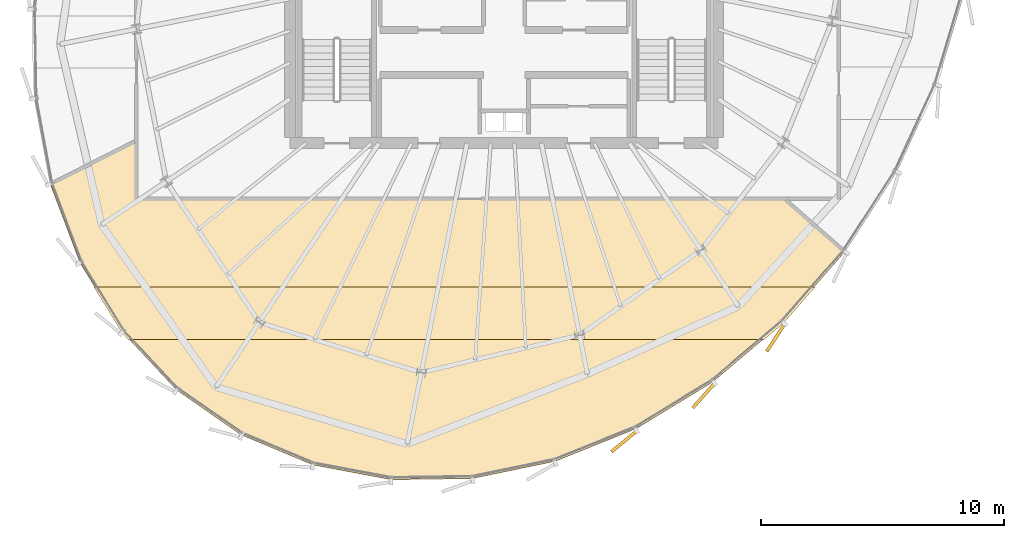
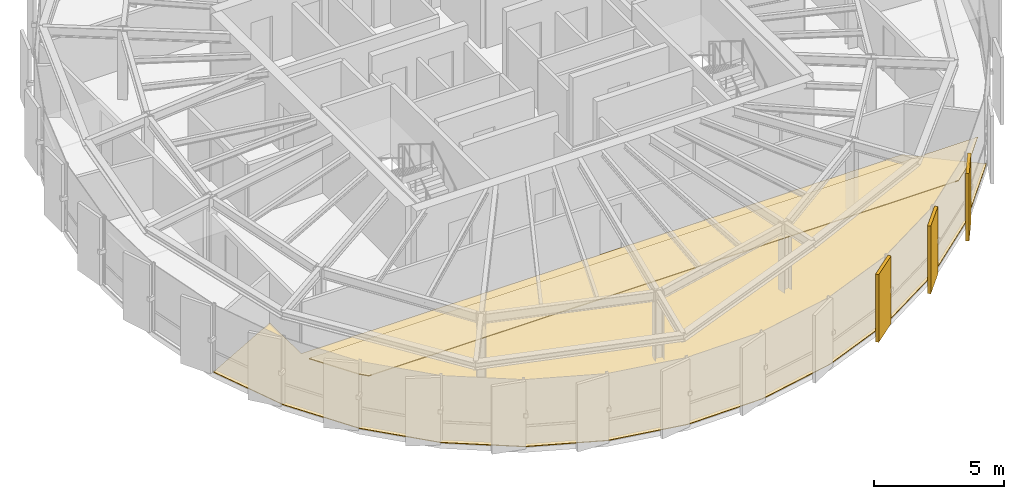
# One storey, part 30 of 32: 5 coverings.
"""IFC4 building model written with IfcOpenShell, lengths in metres."""

import ifcopenshell
import ifcopenshell.guid

model = None  # the IFC model being written
_history = None  # IfcOwnerHistory: only IFC2X3 demands one
_inside = {}  # id of a spatial element -> (the spatial element, [elements in it])
_under = {}  # id of a project, library or spatial element -> (it, [spatial elements below it])
_declared = {}  # id of a project -> (the project, [libraries it declares])
_typed = {}  # id of a type object -> (the type object, [elements of that type])
_made_of = {}  # id of a material, layer set ... -> (it, [elements and type objects made of it])


def new_model(schema):
    """Start an empty IFC model of exactly this schema.

    Asked for "IFC4X3", IfcOpenShell would pick the latest addendum, in which some entities
    have other attributes; the version numbers below select the first issue.
    IFC2X3 requires an IfcOwnerHistory on every rooted entity: one is made here for all.
    """
    global model, _history
    if schema == "IFC4X3":
        model = ifcopenshell.file(schema_version=(4, 3, 0, 0))
    else:
        model = ifcopenshell.file(schema=schema)
    _inside.clear()
    _under.clear()
    _declared.clear()
    _typed.clear()
    _made_of.clear()
    _history = None
    if model.schema == "IFC2X3":
        org = make("IfcOrganization", Name="unknown")
        user = make(
            "IfcPersonAndOrganization",
            ThePerson=make("IfcPerson", FamilyName="unknown"),
            TheOrganization=org,
        )
        app = make(
            "IfcApplication",
            ApplicationDeveloper=org,
            Version="unknown",
            ApplicationFullName="unknown",
            ApplicationIdentifier="unknown",
        )
        _history = make(
            "IfcOwnerHistory",
            OwningUser=user,
            OwningApplication=app,
            ChangeAction="ADDED",
            CreationDate=0,
        )
    return model


def make(cls, **values):
    """One entity of the class cls with the attributes given. An attribute that is None is left unset."""
    return model.create_entity(
        cls, **{name: value for name, value in values.items() if value is not None}
    )


def rooted(cls, **values):
    """An entity with a GlobalId (a new one), such as an element, a storey or a relation."""
    return make(cls, GlobalId=ifcopenshell.guid.new(), OwnerHistory=_history, **values)


def si_unit(unit_type, name, prefix=None):
    """IfcSIUnit, for example si_unit("LENGTHUNIT", "METRE", prefix="MILLI")."""
    return make("IfcSIUnit", UnitType=unit_type, Prefix=prefix, Name=name)


def assignment(units):
    """IfcUnitAssignment: the units of a project."""
    return None if units is None else make("IfcUnitAssignment", Units=units)


def point(xyz):
    """IfcCartesianPoint."""
    return None if xyz is None else make("IfcCartesianPoint", Coordinates=xyz)


def direction(xyz):
    """IfcDirection."""
    return None if xyz is None else make("IfcDirection", DirectionRatios=xyz)


def frame(location, z_axis=None, x_axis=None):
    """IfcAxis2Placement3D, a coordinate frame: its origin and axes. An axis left out is left unset."""
    return make(
        "IfcAxis2Placement3D",
        Location=point(location),
        Axis=direction(z_axis),
        RefDirection=direction(x_axis),
    )


def frame_2d(location, x_axis=None):
    """IfcAxis2Placement2D, a coordinate frame in the plane: its origin and x axis."""
    return make(
        "IfcAxis2Placement2D", Location=point(location), RefDirection=direction(x_axis)
    )


def origin():
    """The frame at (0, 0, 0) with its axes left unset."""
    return frame((0.0, 0.0, 0.0))


def origin_2d():
    """The frame at (0, 0) in the plane with its x axis left unset."""
    return frame_2d((0.0, 0.0))


def place(relative_to, where):
    """IfcLocalPlacement: puts the frame where relative to a parent placement (None: the world)."""
    return make(
        "IfcLocalPlacement", PlacementRelTo=relative_to, RelativePlacement=where
    )


def context(
    kind, dimensions, precision=None, world=None, true_north=None, identifier=None
):
    """IfcGeometricRepresentationContext, for example the 3D "Model" context."""
    return make(
        "IfcGeometricRepresentationContext",
        ContextIdentifier=identifier,
        ContextType=kind,
        CoordinateSpaceDimension=dimensions,
        Precision=precision,
        WorldCoordinateSystem=world,
        TrueNorth=true_north,
    )


def subcontext(parent, identifier, kind, view, scale=None):
    """IfcGeometricRepresentationSubContext, for example "Body" below "Model"."""
    return make(
        "IfcGeometricRepresentationSubContext",
        ContextIdentifier=identifier,
        ContextType=kind,
        ParentContext=parent,
        TargetScale=scale,
        TargetView=view,
    )


def project(units=None, contexts=None):
    """IfcProject with its units and contexts."""
    return rooted(
        "IfcProject",
        Name="project",
        RepresentationContexts=contexts,
        UnitsInContext=assignment(units),
    )


def spatial(cls, under=None, at=None, **own):
    """A site, building, storey or space (cls), placed at a placement, below another one or the project."""
    s = rooted(cls, ObjectPlacement=at, **own)
    if under is not None:
        _under.setdefault(under.id(), (under, []))[1].append(s)
    return s


def polyline(points):
    """IfcPolyline through the points."""
    return make("IfcPolyline", Points=[point(p) for p in points])


def profile(cls, at=None, kind="AREA", **sizes):
    """A parametric profile (cls). Its sizes go by their IFC names, for example OverallWidth=200.0."""
    return make(cls, ProfileType=kind, Position=at, **sizes)


def rectangle(**sizes):
    """IfcRectangleProfileDef."""
    return profile("IfcRectangleProfileDef", **sizes)


def outline(outer, holes=None, kind="AREA"):
    """IfcArbitraryClosedProfileDef: a profile drawn as a closed curve; with holes, ...WithVoids."""
    if holes is None:
        return make("IfcArbitraryClosedProfileDef", ProfileType=kind, OuterCurve=outer)
    return make(
        "IfcArbitraryProfileDefWithVoids",
        ProfileType=kind,
        OuterCurve=outer,
        InnerCurves=holes,
    )


def extrude(swept, where, along, depth):
    """IfcExtrudedAreaSolid: the profile swept, set in the frame where, extruded along a direction by depth."""
    return make(
        "IfcExtrudedAreaSolid",
        SweptArea=swept,
        Position=where,
        ExtrudedDirection=direction(along),
        Depth=depth,
    )


def shape(context_of_items, identifier, shape_type, items):
    """IfcShapeRepresentation: the items that make up one representation, for example the "Body"."""
    return make(
        "IfcShapeRepresentation",
        ContextOfItems=context_of_items,
        RepresentationIdentifier=identifier,
        RepresentationType=shape_type,
        Items=items,
    )


def source(mapping_origin, context_of_items, identifier, shape_type, items):
    """IfcRepresentationMap: a shape defined once, which mapped items show again and again."""
    return make(
        "IfcRepresentationMap",
        MappingOrigin=mapping_origin,
        MappedRepresentation=shape(context_of_items, identifier, shape_type, items),
    )


def transform(
    local_origin,
    x_axis=None,
    y_axis=None,
    z_axis=None,
    scale=None,
    scale2=None,
    scale3=None,
    uniform=True,
):
    """IfcCartesianTransformationOperator3D, or its non-uniform kind. x_axis, y_axis, z_axis: its Axis1, 2, 3."""
    if uniform:
        return make(
            "IfcCartesianTransformationOperator3D",
            Axis1=direction(x_axis),
            Axis2=direction(y_axis),
            LocalOrigin=point(local_origin),
            Scale=scale,
            Axis3=direction(z_axis),
        )
    return make(
        "IfcCartesianTransformationOperator3DnonUniform",
        Axis1=direction(x_axis),
        Axis2=direction(y_axis),
        LocalOrigin=point(local_origin),
        Scale=scale,
        Axis3=direction(z_axis),
        Scale2=scale2,
        Scale3=scale3,
    )


def mapped(mapping_source, mapping_target):
    """IfcMappedItem: shows the shape of a source again, moved by a transform."""
    return make(
        "IfcMappedItem", MappingSource=mapping_source, MappingTarget=mapping_target
    )


def material(Name=None, Category=None):
    """IfcMaterial."""
    return make("IfcMaterial", Name=Name, Category=Category)


def layer(
    of_material, thickness, ventilated=None, Name=None, Category=None, Priority=None
):
    """IfcMaterialLayer: one layer of a wall or slab, of a material (None: an air gap)."""
    return make(
        "IfcMaterialLayer",
        Material=of_material,
        LayerThickness=thickness,
        IsVentilated=ventilated,
        Name=Name,
        Category=Category,
        Priority=Priority,
    )


def layer_set(layers, Name=None):
    """IfcMaterialLayerSet."""
    return make("IfcMaterialLayerSet", MaterialLayers=layers, LayerSetName=Name)


def made_of(thing, what):
    """Note that an element or type object is made of a material, layer set ...; save() writes the relation."""
    if what is not None:
        _made_of.setdefault(what.id(), (what, []))[1].append(thing)
    return thing


def type_object(cls, material=None, **own):
    """A type object (cls), such as IfcWallType, which elements share."""
    return made_of(rooted(cls, **own), material)


def element(
    cls,
    number,
    at=None,
    inside=None,
    cuts=None,
    type_object=None,
    material=None,
    context=None,
    identifier="Body",
    shape_type=None,
    held_by="IfcProductDefinitionShape",
    body=None,
    shapes=None,
    **own,
):
    """One element of the class cls, such as IfcWall. Its Tag is "e" and its number.

    at: its placement. inside: the storey or other place that contains it. cuts: it is an
    opening in that element (IfcRelVoidsElement). A single representation is given by context,
    identifier, shape_type and body (its items); several are given by shapes. held_by: the class
    of the entity that holds the representations. save() writes the other relations.
    """
    e = rooted(cls, Tag="e%d" % number, ObjectPlacement=at, **own)
    if body is not None:
        shapes = [shape(context, identifier, shape_type, body)]
    if shapes is not None:
        e.Representation = make(held_by, Representations=shapes)
    if inside is not None:
        _inside.setdefault(inside.id(), (inside, []))[1].append(e)
    if cuts is not None:
        rooted(
            "IfcRelVoidsElement", RelatingBuildingElement=cuts, RelatedOpeningElement=e
        )
    if type_object is not None:
        _typed.setdefault(type_object.id(), (type_object, []))[1].append(e)
    return made_of(e, material)


def aggregate(whole, parts):
    """IfcRelAggregates: a whole, such as a stair, and the parts it consists of."""
    return rooted("IfcRelAggregates", RelatingObject=whole, RelatedObjects=parts)


def save(model, path):
    """Write the relations noted so far, then the file.

    IfcRelAggregates (storeys below a building ...), IfcRelContainedInSpatialStructure (elements
    in a storey), IfcRelDefinesByType, IfcRelAssociatesMaterial and IfcRelDeclares: one each for
    every whole, place, type object, material and project.
    """
    for whole, parts in _under.values():
        aggregate(whole, parts)
    for where, things in _inside.values():
        rooted(
            "IfcRelContainedInSpatialStructure",
            RelatedElements=things,
            RelatingStructure=where,
        )
    for kind, things in _typed.values():
        rooted("IfcRelDefinesByType", RelatedObjects=things, RelatingType=kind)
    for what, things in _made_of.values():
        rooted("IfcRelAssociatesMaterial", RelatedObjects=things, RelatingMaterial=what)
    for by, libraries in _declared.values():
        rooted("IfcRelDeclares", RelatingContext=by, RelatedDefinitions=libraries)
    model.write(path)


model = new_model("IFC4")

# Units and contexts
model_context = context("Model", 3, precision=1e-05, world=origin(), true_north=direction((0.0, 1.0)))
body_context = subcontext(model_context, "Body", "Model", "MODEL_VIEW")
ifc_project = project(units=[si_unit("LENGTHUNIT", "METRE"), si_unit("AREAUNIT", "SQUARE_METRE"), si_unit("VOLUMEUNIT", "CUBIC_METRE"), si_unit("PLANEANGLEUNIT", "RADIAN"), si_unit("MASSUNIT", "GRAM", prefix="KILO"), si_unit("THERMODYNAMICTEMPERATUREUNIT", "KELVIN")], contexts=[model_context])

# Site, building, storey
site_placement = place(None, origin())
site = spatial("IfcSite", under=ifc_project, at=site_placement, CompositionType="ELEMENT")
building_placement = place(site_placement, origin())
building = spatial("IfcBuilding", under=site, at=building_placement, Name="Kethvar Cultural Tower", CompositionType="ELEMENT")
storey_placement = place(building_placement, frame((0.0, 0.0, 280.14990234375)))
storey = spatial("IfcBuildingStorey", under=building, at=storey_placement, Name="L74", CompositionType="ELEMENT", Elevation=280.14990234375)

# Coverings
ifc_material_1 = material(Name="Acoustic Mineral Fibre Ceiling")
ifc_layer_1 = layer(ifc_material_1, 0.0400390625, Name="Acoustic Mineral Fibre Ceiling")
ifc_layer_set_1 = layer_set([ifc_layer_1], Name="Acoustic Mineral Fibre Ceiling (40 mm)")
covering_type_1 = type_object("IfcCoveringType", Name="CV-ACOUSTIC-CEIL", PredefinedType="CEILING", material=ifc_layer_set_1)
covering_1_placement = place(storey_placement, frame((0.0, 0.0, 2.56005859375)))
element("IfcCovering", 1, at=covering_1_placement, inside=storey, type_object=covering_type_1, Name="L74 Room 01 Acoustic Ceiling Panel", PredefinedType="CEILING", context=body_context, shape_type="SweptSolid", body=[
    extrude(outline(polyline([(58.28759765625, 12.704833984375), (57.489501953125, 12.028564453125), (31.3466796875, 12.028564453125), (31.081298828125, 12.312744140625), (29.934814453125, 14.178466796875), (59.576904296875, 14.178466796875), (58.28759765625, 12.704833984375)])), origin(), (0.0, 0.0, 1.0), 0.0400390625),
])
ifc_material_2 = material(Name="Honed Warm Limestone", Category="masonry")
ifc_layer_2 = layer(ifc_material_2, 0.030029296875, Name="Honed Warm Limestone", Category="masonry")
ifc_layer_set_2 = layer_set([ifc_layer_2], Name="Honed Warm Limestone (30 mm)")
covering_type_2 = type_object("IfcCoveringType", Name="CV-STONE-FLOOR", PredefinedType="FLOORING", material=ifc_layer_set_2)
covering_2_placement = place(storey_placement, origin())
element("IfcCovering", 2, at=covering_2_placement, inside=storey, type_object=covering_type_2, Name="L74 Room 01 Floor Finish", PredefinedType="FLOORING", context=body_context, shape_type="SweptSolid", body=[
    extrude(outline(polyline([(60.79638671875, 15.6328125), (58.25830078125, 12.732421875), (55.35986328125, 10.27587890625), (52.201171875, 8.352294921875), (48.878662109375, 7.01953125), (45.493408203125, 6.318359375), (42.147705078125, 6.269775390625), (38.94384765625, 6.875244140625), (35.978515625, 8.115966796875), (33.342041015625, 9.95458984375), (31.1142578125, 12.33544921875), (29.362548828125, 15.186279296875), (28.146484375, 18.4052734375), (31.659912109375, 20.170654296875), (31.676025390625, 17.787353515625), (58.31298828125, 17.787109375), (60.79638671875, 15.6328125)])), origin(), (0.0, 0.0, 1.0), 0.030029296875),
])
ifc_material_3 = material(Name="Extruded Architectural Terracotta", Category="masonry")
ifc_layer_3 = layer(ifc_material_3, 0.135009765625, Name="Extruded Architectural Terracotta", Category="masonry")
ifc_layer_set_3 = layer_set([ifc_layer_3], Name="Extruded Architectural Terracotta (135 mm)")
covering_type_3 = type_object("IfcCoveringType", Name="Terracotta Facade Fin FIN-03", PredefinedType="CLADDING", material=ifc_layer_set_3)
shared_shape = source(origin(), body_context, "Body", "SweptSolid", [
    extrude(rectangle(XDim=1.35009765625, YDim=0.135009765625, at=origin_2d()), origin(), (0.0, 0.0, 1.0), 3.169921875),
])
for number, where, z_axis, x_axis, name in (
    (3, (51.729736328125, 7.838134765625, 0.02001953125), (0.0, 0.0, 1.0), (-0.773397837916, -0.633920960614, 0.0), "L74 Vertical Terracotta Fin 4.6"),
    (4, (55.001220703125, 9.718017578125, 0.02001953125), (0.0, 0.0, 1.0), (-0.665490940013, -0.746405927603, 0.0), "L74 Vertical Terracotta Fin 5.1"),
    (5, (57.963134765625, 12.1005859375, 0.02001953125), (0.0, 0.0, 1.0), (-0.54741717223, -0.836859868525, 0.0), "L74 Vertical Terracotta Fin 5.2"),
):
    element("IfcCovering", number, at=place(storey_placement, frame(where, z_axis=z_axis, x_axis=x_axis)), inside=storey, type_object=covering_type_3, Name=name, PredefinedType="CLADDING", context=body_context, shape_type="MappedRepresentation", body=[
        mapped(shared_shape, transform((0.0, 0.0, 0.0), scale=1.0)),
    ])

save(model, "model.ifc")
